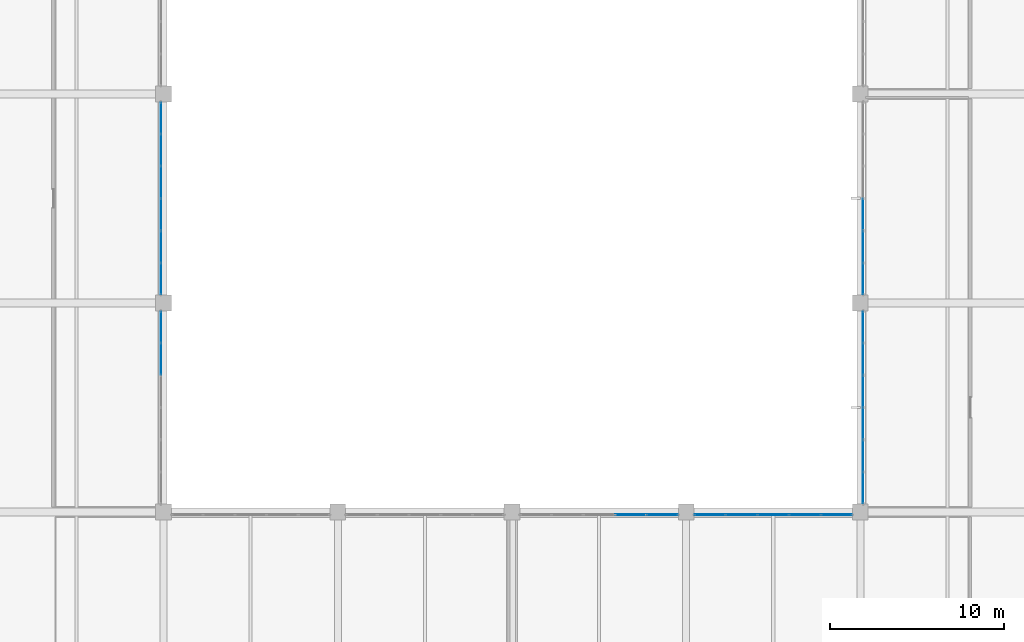
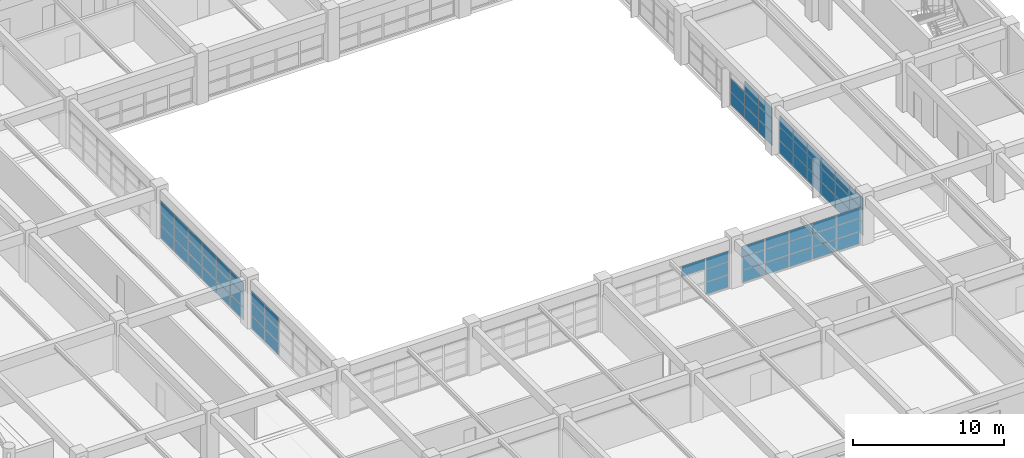
# One storey, part 71 of 100: 69 plates, 6 elements without a shape of their own.
"""IFC4 building model written with IfcOpenShell, lengths in metres."""

from ifc_helpers import new_model, si_unit, direction, frame, origin, origin_2d, place, context, subcontext, project, spatial, rectangle, extrude, material, layer, layer_set, type_object, element, aggregate, save


model = new_model("IFC4")

# Units and contexts
model_context = context("Model", 3, precision=1e-05, world=origin(), true_north=direction((0.0, 1.0)))
body_context = subcontext(model_context, "Body", "Model", "MODEL_VIEW")
ifc_project = project(units=[si_unit("LENGTHUNIT", "METRE"), si_unit("AREAUNIT", "SQUARE_METRE"), si_unit("VOLUMEUNIT", "CUBIC_METRE"), si_unit("PLANEANGLEUNIT", "RADIAN"), si_unit("MASSUNIT", "GRAM", prefix="KILO")], contexts=[model_context])

# Site, building, storey
site_placement = place(None, origin())
site = spatial("IfcSite", under=ifc_project, at=site_placement, CompositionType="ELEMENT")
building_placement = place(site_placement, origin())
building = spatial("IfcBuilding", under=site, at=building_placement, Name="Kivolera Central Railway Station", CompositionType="ELEMENT")
storey_placement = place(building_placement, frame((0.0, 0.0, 5.39990234375)))
storey = spatial("IfcBuildingStorey", under=building, at=storey_placement, Name="L01", CompositionType="ELEMENT", Elevation=5.39990234375)

# Curtain wall, plates
ifc_material_1 = material(Name="Anodised aluminium", Category="aluminium")
ifc_layer_1 = layer(ifc_material_1, 0.179931640625, Name="Anodised aluminium")
ifc_layer_set_1 = layer_set([ifc_layer_1], Name="Anodised aluminium")
curtain_wall_type_1 = type_object("IfcCurtainWallType", Name="CW-SYS-25", PredefinedType="NOTDEFINED", material=ifc_layer_set_1)
curtain_wall_1_placement = place(storey_placement, origin())
curtain_wall_1 = element("IfcCurtainWall", 1, at=curtain_wall_1_placement, inside=storey, type_object=curtain_wall_type_1, Name="L01 Curtain Wall CW-L01-CRTW-G", PredefinedType="NOTDEFINED")
ifc_material_2 = material(Name="Double low-E laminated glass", Category="glass")
ifc_layer_2 = layer(ifc_material_2, 0.02587890625, Name="Double low-E laminated glass")
ifc_layer_set_2 = layer_set([ifc_layer_2], Name="Double low-E laminated glass")
plate_type_1 = type_object("IfcPlateType", Name="CWP-GLZ-1", PredefinedType="CURTAIN_PANEL", material=ifc_layer_set_2)
plate_1_placement = place(storey_placement, frame((137.840087890625, 88.6142578125, 0.048095703125), z_axis=(0.0, 0.0, 1.0), x_axis=(0.0, -1.0, 0.0)))
plate_1 = element("IfcPlate", 2, at=plate_1_placement, type_object=plate_type_1, Name="CW-25 panel 1.1", PredefinedType="CURTAIN_PANEL", context=body_context, shape_type="SweptSolid", body=[
    extrude(rectangle(XDim=1.78564453125, YDim=0.02587890625, at=origin_2d()), origin(), (0.0, 0.0, 1.0), 1.025390625),
])
plate_2_placement = place(storey_placement, frame((137.840087890625, 88.6142578125, 1.109375), z_axis=(0.0, 0.0, 1.0), x_axis=(0.0, -1.0, 0.0)))
plate_2 = element("IfcPlate", 3, at=plate_2_placement, type_object=plate_type_1, Name="CW-25 panel 1.2", PredefinedType="CURTAIN_PANEL", context=body_context, shape_type="SweptSolid", body=[
    extrude(rectangle(XDim=1.78564453125, YDim=0.02587890625, at=origin_2d()), origin(), (0.0, 0.0, 1.0), 1.055419921875),
])
plate_3_placement = place(storey_placement, frame((137.840087890625, 88.6142578125, 2.20068359375), z_axis=(0.0, 0.0, 1.0), x_axis=(0.0, -1.0, 0.0)))
plate_3 = element("IfcPlate", 4, at=plate_3_placement, type_object=plate_type_1, Name="CW-25 panel 1.3", PredefinedType="CURTAIN_PANEL", context=body_context, shape_type="SweptSolid", body=[
    extrude(rectangle(XDim=1.78564453125, YDim=0.02587890625, at=origin_2d()), origin(), (0.0, 0.0, 1.0), 0.869384765625),
])
plate_4_placement = place(storey_placement, frame((137.840087890625, 86.777587890625, 0.048095703125), z_axis=(0.0, 0.0, 1.0), x_axis=(0.0, -1.0, 0.0)))
plate_4 = element("IfcPlate", 5, at=plate_4_placement, type_object=plate_type_1, Name="CW-25 panel 2.1", PredefinedType="CURTAIN_PANEL", context=body_context, shape_type="SweptSolid", body=[
    extrude(rectangle(XDim=1.815673828125, YDim=0.02587890625, at=origin_2d()), origin(), (0.0, 0.0, 1.0), 1.025390625),
])
plate_5_placement = place(storey_placement, frame((137.840087890625, 86.777587890625, 1.109375), z_axis=(0.0, 0.0, 1.0), x_axis=(0.0, -1.0, 0.0)))
plate_5 = element("IfcPlate", 6, at=plate_5_placement, type_object=plate_type_1, Name="CW-25 panel 2.2", PredefinedType="CURTAIN_PANEL", context=body_context, shape_type="SweptSolid", body=[
    extrude(rectangle(XDim=1.815673828125, YDim=0.02587890625, at=origin_2d()), origin(), (0.0, 0.0, 1.0), 1.055419921875),
])
plate_6_placement = place(storey_placement, frame((137.840087890625, 86.777587890625, 2.20068359375), z_axis=(0.0, 0.0, 1.0), x_axis=(0.0, -1.0, 0.0)))
plate_6 = element("IfcPlate", 7, at=plate_6_placement, type_object=plate_type_1, Name="CW-25 panel 2.3", PredefinedType="CURTAIN_PANEL", context=body_context, shape_type="SweptSolid", body=[
    extrude(rectangle(XDim=1.815673828125, YDim=0.02587890625, at=origin_2d()), origin(), (0.0, 0.0, 1.0), 0.869384765625),
])
aggregate(curtain_wall_1, [plate_1, plate_2, plate_3, plate_4, plate_5, plate_6])

curtain_wall_2_placement = place(storey_placement, origin())
curtain_wall_2 = element("IfcCurtainWall", 8, at=curtain_wall_2_placement, inside=storey, type_object=curtain_wall_type_1, Name="L01 Curtain Wall CW-L01-CRTW-H", PredefinedType="NOTDEFINED")
plate_7_placement = place(storey_placement, frame((137.840087890625, 100.6142578125, 0.048095703125), z_axis=(0.0, 0.0, 1.0), x_axis=(0.0, -1.0, 0.0)))
plate_7 = element("IfcPlate", 9, at=plate_7_placement, type_object=plate_type_1, Name="CW-25 panel 1.1", PredefinedType="CURTAIN_PANEL", context=body_context, shape_type="SweptSolid", body=[
    extrude(rectangle(XDim=1.78564453125, YDim=0.02587890625, at=origin_2d()), origin(), (0.0, 0.0, 1.0), 1.025390625),
])
plate_8_placement = place(storey_placement, frame((137.840087890625, 100.6142578125, 1.109375), z_axis=(0.0, 0.0, 1.0), x_axis=(0.0, -1.0, 0.0)))
plate_8 = element("IfcPlate", 10, at=plate_8_placement, type_object=plate_type_1, Name="CW-25 panel 1.2", PredefinedType="CURTAIN_PANEL", context=body_context, shape_type="SweptSolid", body=[
    extrude(rectangle(XDim=1.78564453125, YDim=0.02587890625, at=origin_2d()), origin(), (0.0, 0.0, 1.0), 1.055419921875),
])
plate_9_placement = place(storey_placement, frame((137.840087890625, 100.6142578125, 2.20068359375), z_axis=(0.0, 0.0, 1.0), x_axis=(0.0, -1.0, 0.0)))
plate_9 = element("IfcPlate", 11, at=plate_9_placement, type_object=plate_type_1, Name="CW-25 panel 1.3", PredefinedType="CURTAIN_PANEL", context=body_context, shape_type="SweptSolid", body=[
    extrude(rectangle(XDim=1.78564453125, YDim=0.02587890625, at=origin_2d()), origin(), (0.0, 0.0, 1.0), 0.869384765625),
])
plate_10_placement = place(storey_placement, frame((137.840087890625, 98.777587890625, 0.048095703125), z_axis=(0.0, 0.0, 1.0), x_axis=(0.0, -1.0, 0.0)))
plate_10 = element("IfcPlate", 12, at=plate_10_placement, type_object=plate_type_1, Name="CW-25 panel 2.1", PredefinedType="CURTAIN_PANEL", context=body_context, shape_type="SweptSolid", body=[
    extrude(rectangle(XDim=1.815673828125, YDim=0.02587890625, at=origin_2d()), origin(), (0.0, 0.0, 1.0), 1.025390625),
])
plate_11_placement = place(storey_placement, frame((137.840087890625, 98.777587890625, 1.109375), z_axis=(0.0, 0.0, 1.0), x_axis=(0.0, -1.0, 0.0)))
plate_11 = element("IfcPlate", 13, at=plate_11_placement, type_object=plate_type_1, Name="CW-25 panel 2.2", PredefinedType="CURTAIN_PANEL", context=body_context, shape_type="SweptSolid", body=[
    extrude(rectangle(XDim=1.815673828125, YDim=0.02587890625, at=origin_2d()), origin(), (0.0, 0.0, 1.0), 1.055419921875),
])
plate_12_placement = place(storey_placement, frame((137.840087890625, 98.777587890625, 2.20068359375), z_axis=(0.0, 0.0, 1.0), x_axis=(0.0, -1.0, 0.0)))
plate_12 = element("IfcPlate", 14, at=plate_12_placement, type_object=plate_type_1, Name="CW-25 panel 2.3", PredefinedType="CURTAIN_PANEL", context=body_context, shape_type="SweptSolid", body=[
    extrude(rectangle(XDim=1.815673828125, YDim=0.02587890625, at=origin_2d()), origin(), (0.0, 0.0, 1.0), 0.869384765625),
])
plate_13_placement = place(storey_placement, frame((137.840087890625, 96.92578125, 0.048095703125), z_axis=(0.0, 0.0, 1.0), x_axis=(0.0, -1.0, 0.0)))
plate_13 = element("IfcPlate", 15, at=plate_13_placement, type_object=plate_type_1, Name="CW-25 panel 3.1", PredefinedType="CURTAIN_PANEL", context=body_context, shape_type="SweptSolid", body=[
    extrude(rectangle(XDim=1.815673828125, YDim=0.02587890625, at=origin_2d()), origin(), (0.0, 0.0, 1.0), 1.025390625),
])
plate_14_placement = place(storey_placement, frame((137.840087890625, 96.92578125, 1.109375), z_axis=(0.0, 0.0, 1.0), x_axis=(0.0, -1.0, 0.0)))
plate_14 = element("IfcPlate", 16, at=plate_14_placement, type_object=plate_type_1, Name="CW-25 panel 3.2", PredefinedType="CURTAIN_PANEL", context=body_context, shape_type="SweptSolid", body=[
    extrude(rectangle(XDim=1.815673828125, YDim=0.02587890625, at=origin_2d()), origin(), (0.0, 0.0, 1.0), 1.055419921875),
])
plate_15_placement = place(storey_placement, frame((137.840087890625, 96.92578125, 2.20068359375), z_axis=(0.0, 0.0, 1.0), x_axis=(0.0, -1.0, 0.0)))
plate_15 = element("IfcPlate", 17, at=plate_15_placement, type_object=plate_type_1, Name="CW-25 panel 3.3", PredefinedType="CURTAIN_PANEL", context=body_context, shape_type="SweptSolid", body=[
    extrude(rectangle(XDim=1.815673828125, YDim=0.02587890625, at=origin_2d()), origin(), (0.0, 0.0, 1.0), 0.869384765625),
])
plate_16_placement = place(storey_placement, frame((137.840087890625, 95.07421875, 0.048095703125), z_axis=(0.0, 0.0, 1.0), x_axis=(0.0, -1.0, 0.0)))
plate_16 = element("IfcPlate", 18, at=plate_16_placement, type_object=plate_type_1, Name="CW-25 panel 4.1", PredefinedType="CURTAIN_PANEL", context=body_context, shape_type="SweptSolid", body=[
    extrude(rectangle(XDim=1.815673828125, YDim=0.02587890625, at=origin_2d()), origin(), (0.0, 0.0, 1.0), 1.025390625),
])
plate_17_placement = place(storey_placement, frame((137.840087890625, 95.07421875, 1.109375), z_axis=(0.0, 0.0, 1.0), x_axis=(0.0, -1.0, 0.0)))
plate_17 = element("IfcPlate", 19, at=plate_17_placement, type_object=plate_type_1, Name="CW-25 panel 4.2", PredefinedType="CURTAIN_PANEL", context=body_context, shape_type="SweptSolid", body=[
    extrude(rectangle(XDim=1.815673828125, YDim=0.02587890625, at=origin_2d()), origin(), (0.0, 0.0, 1.0), 1.055419921875),
])
plate_18_placement = place(storey_placement, frame((137.840087890625, 95.07421875, 2.20068359375), z_axis=(0.0, 0.0, 1.0), x_axis=(0.0, -1.0, 0.0)))
plate_18 = element("IfcPlate", 20, at=plate_18_placement, type_object=plate_type_1, Name="CW-25 panel 4.3", PredefinedType="CURTAIN_PANEL", context=body_context, shape_type="SweptSolid", body=[
    extrude(rectangle(XDim=1.815673828125, YDim=0.02587890625, at=origin_2d()), origin(), (0.0, 0.0, 1.0), 0.869384765625),
])
plate_19_placement = place(storey_placement, frame((137.840087890625, 93.222412109375, 0.048095703125), z_axis=(0.0, 0.0, 1.0), x_axis=(0.0, -1.0, 0.0)))
plate_19 = element("IfcPlate", 21, at=plate_19_placement, type_object=plate_type_1, Name="CW-25 panel 5.1", PredefinedType="CURTAIN_PANEL", context=body_context, shape_type="SweptSolid", body=[
    extrude(rectangle(XDim=1.815673828125, YDim=0.02587890625, at=origin_2d()), origin(), (0.0, 0.0, 1.0), 1.025390625),
])
plate_20_placement = place(storey_placement, frame((137.840087890625, 93.222412109375, 1.109375), z_axis=(0.0, 0.0, 1.0), x_axis=(0.0, -1.0, 0.0)))
plate_20 = element("IfcPlate", 22, at=plate_20_placement, type_object=plate_type_1, Name="CW-25 panel 5.2", PredefinedType="CURTAIN_PANEL", context=body_context, shape_type="SweptSolid", body=[
    extrude(rectangle(XDim=1.815673828125, YDim=0.02587890625, at=origin_2d()), origin(), (0.0, 0.0, 1.0), 1.055419921875),
])
plate_21_placement = place(storey_placement, frame((137.840087890625, 93.222412109375, 2.20068359375), z_axis=(0.0, 0.0, 1.0), x_axis=(0.0, -1.0, 0.0)))
plate_21 = element("IfcPlate", 23, at=plate_21_placement, type_object=plate_type_1, Name="CW-25 panel 5.3", PredefinedType="CURTAIN_PANEL", context=body_context, shape_type="SweptSolid", body=[
    extrude(rectangle(XDim=1.815673828125, YDim=0.02587890625, at=origin_2d()), origin(), (0.0, 0.0, 1.0), 0.869384765625),
])
plate_22_placement = place(storey_placement, frame((137.840087890625, 91.3857421875, 0.048095703125), z_axis=(0.0, 0.0, 1.0), x_axis=(0.0, -1.0, 0.0)))
plate_22 = element("IfcPlate", 24, at=plate_22_placement, type_object=plate_type_1, Name="CW-25 panel 6.1", PredefinedType="CURTAIN_PANEL", context=body_context, shape_type="SweptSolid", body=[
    extrude(rectangle(XDim=1.78564453125, YDim=0.02587890625, at=origin_2d()), origin(), (0.0, 0.0, 1.0), 1.025390625),
])
plate_23_placement = place(storey_placement, frame((137.840087890625, 91.3857421875, 1.109375), z_axis=(0.0, 0.0, 1.0), x_axis=(0.0, -1.0, 0.0)))
plate_23 = element("IfcPlate", 25, at=plate_23_placement, type_object=plate_type_1, Name="CW-25 panel 6.2", PredefinedType="CURTAIN_PANEL", context=body_context, shape_type="SweptSolid", body=[
    extrude(rectangle(XDim=1.78564453125, YDim=0.02587890625, at=origin_2d()), origin(), (0.0, 0.0, 1.0), 1.055419921875),
])
plate_24_placement = place(storey_placement, frame((137.840087890625, 91.3857421875, 2.20068359375), z_axis=(0.0, 0.0, 1.0), x_axis=(0.0, -1.0, 0.0)))
plate_24 = element("IfcPlate", 26, at=plate_24_placement, type_object=plate_type_1, Name="CW-25 panel 6.3", PredefinedType="CURTAIN_PANEL", context=body_context, shape_type="SweptSolid", body=[
    extrude(rectangle(XDim=1.78564453125, YDim=0.02587890625, at=origin_2d()), origin(), (0.0, 0.0, 1.0), 0.869384765625),
])
aggregate(curtain_wall_2, [plate_7, plate_8, plate_9, plate_10, plate_11, plate_12, plate_13, plate_14, plate_15, plate_16, plate_17, plate_18, plate_19, plate_20, plate_21, plate_22, plate_23, plate_24])

curtain_wall_3_placement = place(storey_placement, origin())
curtain_wall_3 = element("IfcCurtainWall", 27, at=curtain_wall_3_placement, inside=storey, type_object=curtain_wall_type_1, Name="L01 Curtain Wall CW-L01-CRTE-G", PredefinedType="NOTDEFINED")
ifc_layer_3 = layer(ifc_material_2, 0.030029296875, Name="Double low-E laminated glass")
ifc_layer_set_3 = layer_set([ifc_layer_3], Name="Double low-E laminated glass")
plate_type_2 = type_object("IfcPlateType", Name="CWP-GLZ-2", PredefinedType="CURTAIN_PANEL", material=ifc_layer_set_3)
plate_25_placement = place(storey_placement, frame((178.159912109375, 79.3857421875, 0.048095703125), z_axis=(0.0, 0.0, 1.0), x_axis=(0.0, 1.0, 0.0)))
plate_25 = element("IfcPlate", 28, at=plate_25_placement, type_object=plate_type_2, Name="CW-25 panel 1.1", PredefinedType="CURTAIN_PANEL", context=body_context, shape_type="SweptSolid", body=[
    extrude(rectangle(XDim=1.78564453125, YDim=0.030029296875, at=origin_2d()), origin(), (0.0, 0.0, 1.0), 1.025390625),
])
plate_26_placement = place(storey_placement, frame((178.159912109375, 79.3857421875, 1.109375), z_axis=(0.0, 0.0, 1.0), x_axis=(0.0, 1.0, 0.0)))
plate_26 = element("IfcPlate", 29, at=plate_26_placement, type_object=plate_type_2, Name="CW-25 panel 1.2", PredefinedType="CURTAIN_PANEL", context=body_context, shape_type="SweptSolid", body=[
    extrude(rectangle(XDim=1.78564453125, YDim=0.030029296875, at=origin_2d()), origin(), (0.0, 0.0, 1.0), 1.055419921875),
])
plate_27_placement = place(storey_placement, frame((178.159912109375, 79.3857421875, 2.20068359375), z_axis=(0.0, 0.0, 1.0), x_axis=(0.0, 1.0, 0.0)))
plate_27 = element("IfcPlate", 30, at=plate_27_placement, type_object=plate_type_2, Name="CW-25 panel 1.3", PredefinedType="CURTAIN_PANEL", context=body_context, shape_type="SweptSolid", body=[
    extrude(rectangle(XDim=1.78564453125, YDim=0.030029296875, at=origin_2d()), origin(), (0.0, 0.0, 1.0), 0.869384765625),
])
plate_28_placement = place(storey_placement, frame((178.159912109375, 81.222412109375, 0.048095703125), z_axis=(0.0, 0.0, 1.0), x_axis=(0.0, 1.0, 0.0)))
plate_28 = element("IfcPlate", 31, at=plate_28_placement, type_object=plate_type_2, Name="CW-25 panel 2.1", PredefinedType="CURTAIN_PANEL", context=body_context, shape_type="SweptSolid", body=[
    extrude(rectangle(XDim=1.815673828125, YDim=0.030029296875, at=origin_2d()), origin(), (0.0, 0.0, 1.0), 1.025390625),
])
plate_29_placement = place(storey_placement, frame((178.159912109375, 81.222412109375, 1.109375), z_axis=(0.0, 0.0, 1.0), x_axis=(0.0, 1.0, 0.0)))
plate_29 = element("IfcPlate", 32, at=plate_29_placement, type_object=plate_type_2, Name="CW-25 panel 2.2", PredefinedType="CURTAIN_PANEL", context=body_context, shape_type="SweptSolid", body=[
    extrude(rectangle(XDim=1.815673828125, YDim=0.030029296875, at=origin_2d()), origin(), (0.0, 0.0, 1.0), 1.055419921875),
])
plate_30_placement = place(storey_placement, frame((178.159912109375, 81.222412109375, 2.20068359375), z_axis=(0.0, 0.0, 1.0), x_axis=(0.0, 1.0, 0.0)))
plate_30 = element("IfcPlate", 33, at=plate_30_placement, type_object=plate_type_2, Name="CW-25 panel 2.3", PredefinedType="CURTAIN_PANEL", context=body_context, shape_type="SweptSolid", body=[
    extrude(rectangle(XDim=1.815673828125, YDim=0.030029296875, at=origin_2d()), origin(), (0.0, 0.0, 1.0), 0.869384765625),
])
plate_31_placement = place(storey_placement, frame((178.159912109375, 83.07421875, 0.048095703125), z_axis=(0.0, 0.0, 1.0), x_axis=(0.0, 1.0, 0.0)))
plate_31 = element("IfcPlate", 34, at=plate_31_placement, type_object=plate_type_2, Name="CW-25 panel 3.1", PredefinedType="CURTAIN_PANEL", context=body_context, shape_type="SweptSolid", body=[
    extrude(rectangle(XDim=1.815673828125, YDim=0.030029296875, at=origin_2d()), origin(), (0.0, 0.0, 1.0), 1.025390625),
])
plate_32_placement = place(storey_placement, frame((178.159912109375, 83.07421875, 1.109375), z_axis=(0.0, 0.0, 1.0), x_axis=(0.0, 1.0, 0.0)))
plate_32 = element("IfcPlate", 35, at=plate_32_placement, type_object=plate_type_2, Name="CW-25 panel 3.2", PredefinedType="CURTAIN_PANEL", context=body_context, shape_type="SweptSolid", body=[
    extrude(rectangle(XDim=1.815673828125, YDim=0.030029296875, at=origin_2d()), origin(), (0.0, 0.0, 1.0), 1.055419921875),
])
plate_33_placement = place(storey_placement, frame((178.159912109375, 83.07421875, 2.20068359375), z_axis=(0.0, 0.0, 1.0), x_axis=(0.0, 1.0, 0.0)))
plate_33 = element("IfcPlate", 36, at=plate_33_placement, type_object=plate_type_2, Name="CW-25 panel 3.3", PredefinedType="CURTAIN_PANEL", context=body_context, shape_type="SweptSolid", body=[
    extrude(rectangle(XDim=1.815673828125, YDim=0.030029296875, at=origin_2d()), origin(), (0.0, 0.0, 1.0), 0.869384765625),
])
plate_34_placement = place(storey_placement, frame((178.159912109375, 84.92578125, 0.048095703125), z_axis=(0.0, 0.0, 1.0), x_axis=(0.0, 1.0, 0.0)))
plate_34 = element("IfcPlate", 37, at=plate_34_placement, type_object=plate_type_2, Name="CW-25 panel 4.1", PredefinedType="CURTAIN_PANEL", context=body_context, shape_type="SweptSolid", body=[
    extrude(rectangle(XDim=1.815673828125, YDim=0.030029296875, at=origin_2d()), origin(), (0.0, 0.0, 1.0), 1.025390625),
])
plate_35_placement = place(storey_placement, frame((178.159912109375, 84.92578125, 1.109375), z_axis=(0.0, 0.0, 1.0), x_axis=(0.0, 1.0, 0.0)))
plate_35 = element("IfcPlate", 38, at=plate_35_placement, type_object=plate_type_2, Name="CW-25 panel 4.2", PredefinedType="CURTAIN_PANEL", context=body_context, shape_type="SweptSolid", body=[
    extrude(rectangle(XDim=1.815673828125, YDim=0.030029296875, at=origin_2d()), origin(), (0.0, 0.0, 1.0), 1.055419921875),
])
plate_36_placement = place(storey_placement, frame((178.159912109375, 84.92578125, 2.20068359375), z_axis=(0.0, 0.0, 1.0), x_axis=(0.0, 1.0, 0.0)))
plate_36 = element("IfcPlate", 39, at=plate_36_placement, type_object=plate_type_2, Name="CW-25 panel 4.3", PredefinedType="CURTAIN_PANEL", context=body_context, shape_type="SweptSolid", body=[
    extrude(rectangle(XDim=1.815673828125, YDim=0.030029296875, at=origin_2d()), origin(), (0.0, 0.0, 1.0), 0.869384765625),
])
plate_37_placement = place(storey_placement, frame((178.159912109375, 86.777587890625, 0.048095703125), z_axis=(0.0, 0.0, 1.0), x_axis=(0.0, 1.0, 0.0)))
plate_37 = element("IfcPlate", 40, at=plate_37_placement, type_object=plate_type_2, Name="CW-25 panel 5.1", PredefinedType="CURTAIN_PANEL", context=body_context, shape_type="SweptSolid", body=[
    extrude(rectangle(XDim=1.815673828125, YDim=0.030029296875, at=origin_2d()), origin(), (0.0, 0.0, 1.0), 1.025390625),
])
plate_38_placement = place(storey_placement, frame((178.159912109375, 86.777587890625, 1.109375), z_axis=(0.0, 0.0, 1.0), x_axis=(0.0, 1.0, 0.0)))
plate_38 = element("IfcPlate", 41, at=plate_38_placement, type_object=plate_type_2, Name="CW-25 panel 5.2", PredefinedType="CURTAIN_PANEL", context=body_context, shape_type="SweptSolid", body=[
    extrude(rectangle(XDim=1.815673828125, YDim=0.030029296875, at=origin_2d()), origin(), (0.0, 0.0, 1.0), 1.055419921875),
])
plate_39_placement = place(storey_placement, frame((178.159912109375, 86.777587890625, 2.20068359375), z_axis=(0.0, 0.0, 1.0), x_axis=(0.0, 1.0, 0.0)))
plate_39 = element("IfcPlate", 42, at=plate_39_placement, type_object=plate_type_2, Name="CW-25 panel 5.3", PredefinedType="CURTAIN_PANEL", context=body_context, shape_type="SweptSolid", body=[
    extrude(rectangle(XDim=1.815673828125, YDim=0.030029296875, at=origin_2d()), origin(), (0.0, 0.0, 1.0), 0.869384765625),
])
plate_40_placement = place(storey_placement, frame((178.159912109375, 88.6142578125, 0.048095703125), z_axis=(0.0, 0.0, 1.0), x_axis=(0.0, 1.0, 0.0)))
plate_40 = element("IfcPlate", 43, at=plate_40_placement, type_object=plate_type_2, Name="CW-25 panel 6.1", PredefinedType="CURTAIN_PANEL", context=body_context, shape_type="SweptSolid", body=[
    extrude(rectangle(XDim=1.78564453125, YDim=0.030029296875, at=origin_2d()), origin(), (0.0, 0.0, 1.0), 1.025390625),
])
plate_41_placement = place(storey_placement, frame((178.159912109375, 88.6142578125, 1.109375), z_axis=(0.0, 0.0, 1.0), x_axis=(0.0, 1.0, 0.0)))
plate_41 = element("IfcPlate", 44, at=plate_41_placement, type_object=plate_type_2, Name="CW-25 panel 6.2", PredefinedType="CURTAIN_PANEL", context=body_context, shape_type="SweptSolid", body=[
    extrude(rectangle(XDim=1.78564453125, YDim=0.030029296875, at=origin_2d()), origin(), (0.0, 0.0, 1.0), 1.055419921875),
])
plate_42_placement = place(storey_placement, frame((178.159912109375, 88.6142578125, 2.20068359375), z_axis=(0.0, 0.0, 1.0), x_axis=(0.0, 1.0, 0.0)))
plate_42 = element("IfcPlate", 45, at=plate_42_placement, type_object=plate_type_2, Name="CW-25 panel 6.3", PredefinedType="CURTAIN_PANEL", context=body_context, shape_type="SweptSolid", body=[
    extrude(rectangle(XDim=1.78564453125, YDim=0.030029296875, at=origin_2d()), origin(), (0.0, 0.0, 1.0), 0.869384765625),
])
aggregate(curtain_wall_3, [plate_25, plate_26, plate_27, plate_28, plate_29, plate_30, plate_31, plate_32, plate_33, plate_34, plate_35, plate_36, plate_37, plate_38, plate_39, plate_40, plate_41, plate_42])

curtain_wall_4_placement = place(storey_placement, origin())
curtain_wall_4 = element("IfcCurtainWall", 46, at=curtain_wall_4_placement, inside=storey, type_object=curtain_wall_type_1, Name="L01 Curtain Wall CW-L01-CRTE-H", PredefinedType="NOTDEFINED")
plate_43_placement = place(storey_placement, frame((178.159912109375, 91.3857421875, 0.048095703125), z_axis=(0.0, 0.0, 1.0), x_axis=(0.0, 1.0, 0.0)))
plate_43 = element("IfcPlate", 47, at=plate_43_placement, type_object=plate_type_2, Name="CW-25 panel 1.1", PredefinedType="CURTAIN_PANEL", context=body_context, shape_type="SweptSolid", body=[
    extrude(rectangle(XDim=1.78564453125, YDim=0.030029296875, at=origin_2d()), origin(), (0.0, 0.0, 1.0), 1.025390625),
])
plate_44_placement = place(storey_placement, frame((178.159912109375, 91.3857421875, 1.109375), z_axis=(0.0, 0.0, 1.0), x_axis=(0.0, 1.0, 0.0)))
plate_44 = element("IfcPlate", 48, at=plate_44_placement, type_object=plate_type_2, Name="CW-25 panel 1.2", PredefinedType="CURTAIN_PANEL", context=body_context, shape_type="SweptSolid", body=[
    extrude(rectangle(XDim=1.78564453125, YDim=0.030029296875, at=origin_2d()), origin(), (0.0, 0.0, 1.0), 1.055419921875),
])
plate_45_placement = place(storey_placement, frame((178.159912109375, 91.3857421875, 2.20068359375), z_axis=(0.0, 0.0, 1.0), x_axis=(0.0, 1.0, 0.0)))
plate_45 = element("IfcPlate", 49, at=plate_45_placement, type_object=plate_type_2, Name="CW-25 panel 1.3", PredefinedType="CURTAIN_PANEL", context=body_context, shape_type="SweptSolid", body=[
    extrude(rectangle(XDim=1.78564453125, YDim=0.030029296875, at=origin_2d()), origin(), (0.0, 0.0, 1.0), 0.869384765625),
])
plate_46_placement = place(storey_placement, frame((178.159912109375, 93.222412109375, 0.048095703125), z_axis=(0.0, 0.0, 1.0), x_axis=(0.0, 1.0, 0.0)))
plate_46 = element("IfcPlate", 50, at=plate_46_placement, type_object=plate_type_2, Name="CW-25 panel 2.1", PredefinedType="CURTAIN_PANEL", context=body_context, shape_type="SweptSolid", body=[
    extrude(rectangle(XDim=1.815673828125, YDim=0.030029296875, at=origin_2d()), origin(), (0.0, 0.0, 1.0), 1.025390625),
])
plate_47_placement = place(storey_placement, frame((178.159912109375, 93.222412109375, 1.109375), z_axis=(0.0, 0.0, 1.0), x_axis=(0.0, 1.0, 0.0)))
plate_47 = element("IfcPlate", 51, at=plate_47_placement, type_object=plate_type_2, Name="CW-25 panel 2.2", PredefinedType="CURTAIN_PANEL", context=body_context, shape_type="SweptSolid", body=[
    extrude(rectangle(XDim=1.815673828125, YDim=0.030029296875, at=origin_2d()), origin(), (0.0, 0.0, 1.0), 1.055419921875),
])
plate_48_placement = place(storey_placement, frame((178.159912109375, 93.222412109375, 2.20068359375), z_axis=(0.0, 0.0, 1.0), x_axis=(0.0, 1.0, 0.0)))
plate_48 = element("IfcPlate", 52, at=plate_48_placement, type_object=plate_type_2, Name="CW-25 panel 2.3", PredefinedType="CURTAIN_PANEL", context=body_context, shape_type="SweptSolid", body=[
    extrude(rectangle(XDim=1.815673828125, YDim=0.030029296875, at=origin_2d()), origin(), (0.0, 0.0, 1.0), 0.869384765625),
])
plate_49_placement = place(storey_placement, frame((178.159912109375, 95.07421875, 0.048095703125), z_axis=(0.0, 0.0, 1.0), x_axis=(0.0, 1.0, 0.0)))
plate_49 = element("IfcPlate", 53, at=plate_49_placement, type_object=plate_type_2, Name="CW-25 panel 3.1", PredefinedType="CURTAIN_PANEL", context=body_context, shape_type="SweptSolid", body=[
    extrude(rectangle(XDim=1.815673828125, YDim=0.030029296875, at=origin_2d()), origin(), (0.0, 0.0, 1.0), 1.025390625),
])
plate_50_placement = place(storey_placement, frame((178.159912109375, 95.07421875, 1.109375), z_axis=(0.0, 0.0, 1.0), x_axis=(0.0, 1.0, 0.0)))
plate_50 = element("IfcPlate", 54, at=plate_50_placement, type_object=plate_type_2, Name="CW-25 panel 3.2", PredefinedType="CURTAIN_PANEL", context=body_context, shape_type="SweptSolid", body=[
    extrude(rectangle(XDim=1.815673828125, YDim=0.030029296875, at=origin_2d()), origin(), (0.0, 0.0, 1.0), 1.055419921875),
])
aggregate(curtain_wall_4, [plate_43, plate_44, plate_45, plate_46, plate_47, plate_48, plate_49, plate_50])

ifc_layer_4 = layer(ifc_material_1, 0.179931640625, Name="Anodised aluminium")
ifc_layer_set_4 = layer_set([ifc_layer_4], Name="Anodised aluminium")
curtain_wall_type_2 = type_object("IfcCurtainWallType", Name="CW-SYS-24", PredefinedType="NOTDEFINED", material=ifc_layer_set_4)
curtain_wall_5_placement = place(storey_placement, origin())
curtain_wall_5 = element("IfcCurtainWall", 55, at=curtain_wall_5_placement, inside=storey, type_object=curtain_wall_type_2, Name="L01 Curtain Wall CW-L01-CRTS-158", PredefinedType="NOTDEFINED")
ifc_layer_5 = layer(ifc_material_2, 0.033935546875, Name="Double low-E laminated glass")
ifc_layer_set_5 = layer_set([ifc_layer_5], Name="Double low-E laminated glass")
plate_type_3 = type_object("IfcPlateType", Name="CWP-GLZ-3", PredefinedType="CURTAIN_PANEL", material=ifc_layer_set_5)
plate_51_placement = place(storey_placement, frame((164.822021484375, 77.840087890625, 2.130615234375), z_axis=(0.0, 0.0, 1.0), x_axis=(1.0, 0.0, 0.0)))
plate_51 = element("IfcPlate", 56, at=plate_51_placement, type_object=plate_type_3, Name="CW-24 panel 4.3", PredefinedType="CURTAIN_PANEL", context=body_context, shape_type="SweptSolid", body=[
    extrude(rectangle(XDim=1.785888671875, YDim=0.033935546875, at=origin_2d()), origin(), (0.0, 0.0, 1.0), 0.83935546875),
])
plate_52_placement = place(storey_placement, frame((166.62890625, 77.840087890625, 0.048095703125), z_axis=(0.0, 0.0, 1.0), x_axis=(1.0, 0.0, 0.0)))
plate_52 = element("IfcPlate", 57, at=plate_52_placement, type_object=plate_type_3, Name="CW-24 panel 5.1", PredefinedType="CURTAIN_PANEL", context=body_context, shape_type="SweptSolid", body=[
    extrude(rectangle(XDim=1.756103515625, YDim=0.033935546875, at=origin_2d()), origin(), (0.0, 0.0, 1.0), 0.990234375),
])
plate_53_placement = place(storey_placement, frame((166.62890625, 77.840087890625, 1.07421875), z_axis=(0.0, 0.0, 1.0), x_axis=(1.0, 0.0, 0.0)))
plate_53 = element("IfcPlate", 58, at=plate_53_placement, type_object=plate_type_3, Name="CW-24 panel 5.2", PredefinedType="CURTAIN_PANEL", context=body_context, shape_type="SweptSolid", body=[
    extrude(rectangle(XDim=1.756103515625, YDim=0.033935546875, at=origin_2d()), origin(), (0.0, 0.0, 1.0), 1.020263671875),
])
plate_54_placement = place(storey_placement, frame((166.62890625, 77.840087890625, 2.130615234375), z_axis=(0.0, 0.0, 1.0), x_axis=(1.0, 0.0, 0.0)))
plate_54 = element("IfcPlate", 59, at=plate_54_placement, type_object=plate_type_3, Name="CW-24 panel 5.3", PredefinedType="CURTAIN_PANEL", context=body_context, shape_type="SweptSolid", body=[
    extrude(rectangle(XDim=1.756103515625, YDim=0.033935546875, at=origin_2d()), origin(), (0.0, 0.0, 1.0), 0.83935546875),
])
aggregate(curtain_wall_5, [plate_51, plate_52, plate_53, plate_54])

curtain_wall_6_placement = place(storey_placement, origin())
curtain_wall_6 = element("IfcCurtainWall", 60, at=curtain_wall_6_placement, inside=storey, type_object=curtain_wall_type_2, Name="L01 Curtain Wall CW-L01-CRTS-168", PredefinedType="NOTDEFINED")
plate_55_placement = place(storey_placement, frame((169.37109375, 77.840087890625, 0.048095703125), z_axis=(0.0, 0.0, 1.0), x_axis=(1.0, 0.0, 0.0)))
plate_55 = element("IfcPlate", 61, at=plate_55_placement, type_object=plate_type_3, Name="CW-24 panel 1.1", PredefinedType="CURTAIN_PANEL", context=body_context, shape_type="SweptSolid", body=[
    extrude(rectangle(XDim=1.756103515625, YDim=0.033935546875, at=origin_2d()), origin(), (0.0, 0.0, 1.0), 0.990234375),
])
plate_56_placement = place(storey_placement, frame((169.37109375, 77.840087890625, 1.07421875), z_axis=(0.0, 0.0, 1.0), x_axis=(1.0, 0.0, 0.0)))
plate_56 = element("IfcPlate", 62, at=plate_56_placement, type_object=plate_type_3, Name="CW-24 panel 1.2", PredefinedType="CURTAIN_PANEL", context=body_context, shape_type="SweptSolid", body=[
    extrude(rectangle(XDim=1.756103515625, YDim=0.033935546875, at=origin_2d()), origin(), (0.0, 0.0, 1.0), 1.020263671875),
])
plate_57_placement = place(storey_placement, frame((169.37109375, 77.840087890625, 2.130615234375), z_axis=(0.0, 0.0, 1.0), x_axis=(1.0, 0.0, 0.0)))
plate_57 = element("IfcPlate", 63, at=plate_57_placement, type_object=plate_type_3, Name="CW-24 panel 1.3", PredefinedType="CURTAIN_PANEL", context=body_context, shape_type="SweptSolid", body=[
    extrude(rectangle(XDim=1.756103515625, YDim=0.033935546875, at=origin_2d()), origin(), (0.0, 0.0, 1.0), 0.83935546875),
])
plate_58_placement = place(storey_placement, frame((171.177978515625, 77.840087890625, 0.048095703125), z_axis=(0.0, 0.0, 1.0), x_axis=(1.0, 0.0, 0.0)))
plate_58 = element("IfcPlate", 64, at=plate_58_placement, type_object=plate_type_3, Name="CW-24 panel 2.1", PredefinedType="CURTAIN_PANEL", context=body_context, shape_type="SweptSolid", body=[
    extrude(rectangle(XDim=1.785888671875, YDim=0.033935546875, at=origin_2d()), origin(), (0.0, 0.0, 1.0), 0.990234375),
])
plate_59_placement = place(storey_placement, frame((171.177978515625, 77.840087890625, 1.07421875), z_axis=(0.0, 0.0, 1.0), x_axis=(1.0, 0.0, 0.0)))
plate_59 = element("IfcPlate", 65, at=plate_59_placement, type_object=plate_type_3, Name="CW-24 panel 2.2", PredefinedType="CURTAIN_PANEL", context=body_context, shape_type="SweptSolid", body=[
    extrude(rectangle(XDim=1.785888671875, YDim=0.033935546875, at=origin_2d()), origin(), (0.0, 0.0, 1.0), 1.020263671875),
])
plate_60_placement = place(storey_placement, frame((171.177978515625, 77.840087890625, 2.130615234375), z_axis=(0.0, 0.0, 1.0), x_axis=(1.0, 0.0, 0.0)))
plate_60 = element("IfcPlate", 66, at=plate_60_placement, type_object=plate_type_3, Name="CW-24 panel 2.3", PredefinedType="CURTAIN_PANEL", context=body_context, shape_type="SweptSolid", body=[
    extrude(rectangle(XDim=1.785888671875, YDim=0.033935546875, at=origin_2d()), origin(), (0.0, 0.0, 1.0), 0.83935546875),
])
plate_61_placement = place(storey_placement, frame((173.0, 77.840087890625, 0.048095703125), z_axis=(0.0, 0.0, 1.0), x_axis=(1.0, 0.0, 0.0)))
plate_61 = element("IfcPlate", 67, at=plate_61_placement, type_object=plate_type_3, Name="CW-24 panel 3.1", PredefinedType="CURTAIN_PANEL", context=body_context, shape_type="SweptSolid", body=[
    extrude(rectangle(XDim=1.785888671875, YDim=0.033935546875, at=origin_2d()), origin(), (0.0, 0.0, 1.0), 0.990234375),
])
plate_62_placement = place(storey_placement, frame((173.0, 77.840087890625, 1.07421875), z_axis=(0.0, 0.0, 1.0), x_axis=(1.0, 0.0, 0.0)))
plate_62 = element("IfcPlate", 68, at=plate_62_placement, type_object=plate_type_3, Name="CW-24 panel 3.2", PredefinedType="CURTAIN_PANEL", context=body_context, shape_type="SweptSolid", body=[
    extrude(rectangle(XDim=1.785888671875, YDim=0.033935546875, at=origin_2d()), origin(), (0.0, 0.0, 1.0), 1.020263671875),
])
plate_63_placement = place(storey_placement, frame((173.0, 77.840087890625, 2.130615234375), z_axis=(0.0, 0.0, 1.0), x_axis=(1.0, 0.0, 0.0)))
plate_63 = element("IfcPlate", 69, at=plate_63_placement, type_object=plate_type_3, Name="CW-24 panel 3.3", PredefinedType="CURTAIN_PANEL", context=body_context, shape_type="SweptSolid", body=[
    extrude(rectangle(XDim=1.785888671875, YDim=0.033935546875, at=origin_2d()), origin(), (0.0, 0.0, 1.0), 0.83935546875),
])
plate_64_placement = place(storey_placement, frame((174.822021484375, 77.840087890625, 0.048095703125), z_axis=(0.0, 0.0, 1.0), x_axis=(1.0, 0.0, 0.0)))
plate_64 = element("IfcPlate", 70, at=plate_64_placement, type_object=plate_type_3, Name="CW-24 panel 4.1", PredefinedType="CURTAIN_PANEL", context=body_context, shape_type="SweptSolid", body=[
    extrude(rectangle(XDim=1.785888671875, YDim=0.033935546875, at=origin_2d()), origin(), (0.0, 0.0, 1.0), 0.990234375),
])
plate_65_placement = place(storey_placement, frame((174.822021484375, 77.840087890625, 1.07421875), z_axis=(0.0, 0.0, 1.0), x_axis=(1.0, 0.0, 0.0)))
plate_65 = element("IfcPlate", 71, at=plate_65_placement, type_object=plate_type_3, Name="CW-24 panel 4.2", PredefinedType="CURTAIN_PANEL", context=body_context, shape_type="SweptSolid", body=[
    extrude(rectangle(XDim=1.785888671875, YDim=0.033935546875, at=origin_2d()), origin(), (0.0, 0.0, 1.0), 1.020263671875),
])
plate_66_placement = place(storey_placement, frame((174.822021484375, 77.840087890625, 2.130615234375), z_axis=(0.0, 0.0, 1.0), x_axis=(1.0, 0.0, 0.0)))
plate_66 = element("IfcPlate", 72, at=plate_66_placement, type_object=plate_type_3, Name="CW-24 panel 4.3", PredefinedType="CURTAIN_PANEL", context=body_context, shape_type="SweptSolid", body=[
    extrude(rectangle(XDim=1.785888671875, YDim=0.033935546875, at=origin_2d()), origin(), (0.0, 0.0, 1.0), 0.83935546875),
])
plate_67_placement = place(storey_placement, frame((176.62890625, 77.840087890625, 0.048095703125), z_axis=(0.0, 0.0, 1.0), x_axis=(1.0, 0.0, 0.0)))
plate_67 = element("IfcPlate", 73, at=plate_67_placement, type_object=plate_type_3, Name="CW-24 panel 5.1", PredefinedType="CURTAIN_PANEL", context=body_context, shape_type="SweptSolid", body=[
    extrude(rectangle(XDim=1.756103515625, YDim=0.033935546875, at=origin_2d()), origin(), (0.0, 0.0, 1.0), 0.990234375),
])
plate_68_placement = place(storey_placement, frame((176.62890625, 77.840087890625, 1.07421875), z_axis=(0.0, 0.0, 1.0), x_axis=(1.0, 0.0, 0.0)))
plate_68 = element("IfcPlate", 74, at=plate_68_placement, type_object=plate_type_3, Name="CW-24 panel 5.2", PredefinedType="CURTAIN_PANEL", context=body_context, shape_type="SweptSolid", body=[
    extrude(rectangle(XDim=1.756103515625, YDim=0.033935546875, at=origin_2d()), origin(), (0.0, 0.0, 1.0), 1.020263671875),
])
plate_69_placement = place(storey_placement, frame((176.62890625, 77.840087890625, 2.130615234375), z_axis=(0.0, 0.0, 1.0), x_axis=(1.0, 0.0, 0.0)))
plate_69 = element("IfcPlate", 75, at=plate_69_placement, type_object=plate_type_3, Name="CW-24 panel 5.3", PredefinedType="CURTAIN_PANEL", context=body_context, shape_type="SweptSolid", body=[
    extrude(rectangle(XDim=1.756103515625, YDim=0.033935546875, at=origin_2d()), origin(), (0.0, 0.0, 1.0), 0.83935546875),
])
aggregate(curtain_wall_6, [plate_55, plate_56, plate_57, plate_58, plate_59, plate_60, plate_61, plate_62, plate_63, plate_64, plate_65, plate_66, plate_67, plate_68, plate_69])

save(model, "model.ifc")
